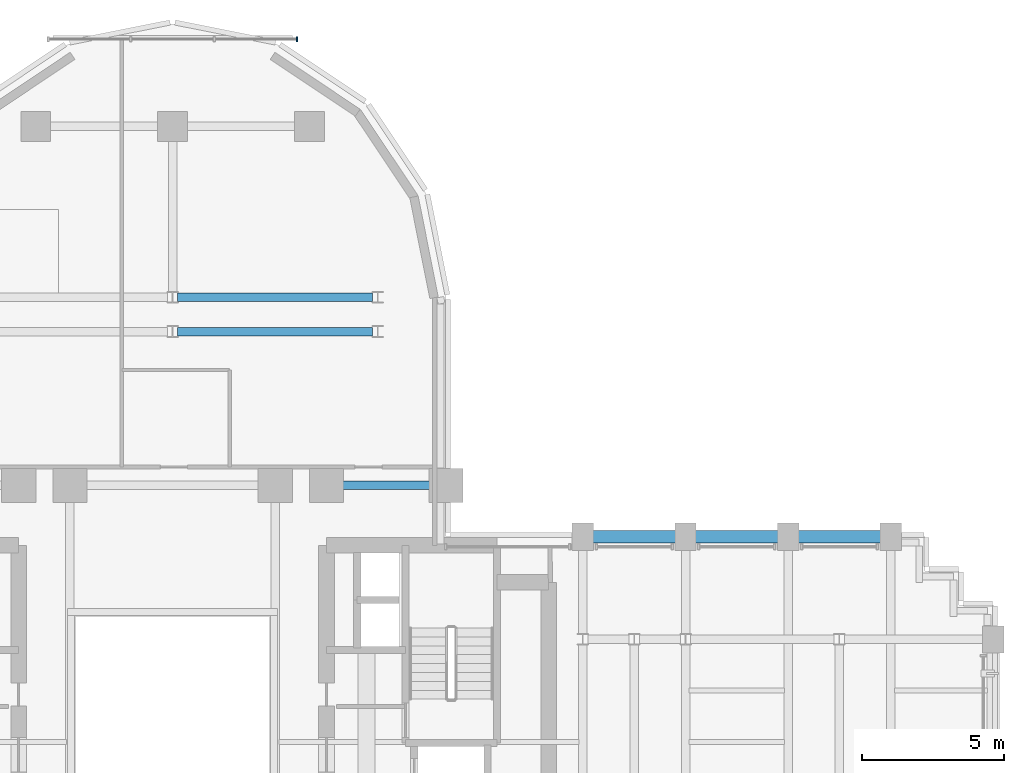
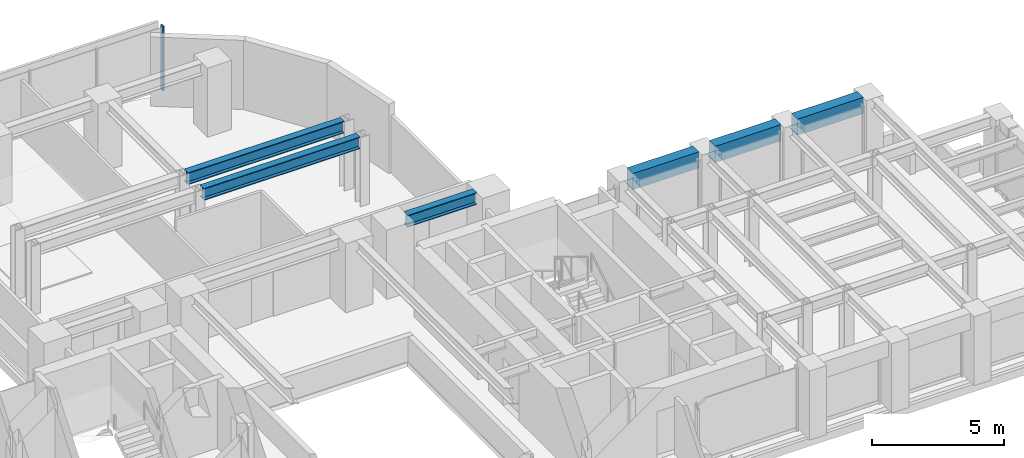
# One storey, part 8 of 16: 6 beams, 1 member, 1 element without a shape of its own.
"""IFC4 building model written with IfcOpenShell, lengths in metres."""

from ifc_helpers import new_model, si_unit, direction, frame, origin, origin_2d, place, context, subcontext, project, spatial, rectangle, i_section, extrude, source, transform, mapped, material, material_profile, profile_set, type_object, element, aggregate, save


model = new_model("IFC4")

# Units and contexts
model_context = context("Model", 3, precision=1e-05, world=origin(), true_north=direction((0.0, 1.0)))
body_context = subcontext(model_context, "Body", "Model", "MODEL_VIEW")
ifc_project = project(units=[si_unit("LENGTHUNIT", "METRE"), si_unit("AREAUNIT", "SQUARE_METRE"), si_unit("VOLUMEUNIT", "CUBIC_METRE"), si_unit("PLANEANGLEUNIT", "RADIAN"), si_unit("MASSUNIT", "GRAM", prefix="KILO")], contexts=[model_context])

# Site, building, storey
site_placement = place(None, origin())
site = spatial("IfcSite", under=ifc_project, at=site_placement, CompositionType="ELEMENT")
building_placement = place(site_placement, origin())
building = spatial("IfcBuilding", under=site, at=building_placement, Name="Keilestroom Media Tower", CompositionType="ELEMENT")
storey_placement = place(building_placement, frame((0.0, 0.0, 30.60009765625)))
storey = spatial("IfcBuildingStorey", under=building, at=storey_placement, Name="L06", CompositionType="ELEMENT", Elevation=30.60009765625)

# Beams
ifc_material_1 = material(Name="Steel S355", Category="steel")
ifc_material_profile_1 = material_profile(ifc_material_1, i_section(OverallWidth=0.300048828125, OverallDepth=0.550048828125, WebThickness=0.012939453125, FlangeThickness=0.029052734375, at=origin_2d()), Name="HEB 550")
ifc_profile_set_1 = profile_set([ifc_material_profile_1], Name="Steel S355")
beam_type_1 = type_object("IfcBeamType", Name="Primary-Structural-Girder-HEB-550", PredefinedType="BEAM", material=ifc_profile_set_1)
shared_shape_1 = source(origin(), body_context, "Body", "SweptSolid", [
    extrude(i_section(OverallWidth=0.300048828125, OverallDepth=0.550048828125, WebThickness=0.012939453125, FlangeThickness=0.029052734375, at=origin_2d()), origin(), (0.0, 0.0, 1.0), 6.836181640625),
])
for number, where, z_axis, x_axis, name in (
    (1, (0.181884765625, 14.39990234375, 2.9248046875), (1.0, 0.0, 0.0), (0.0, 1.0, 0.0), "L06 Beam BG-5 BM-L06-EW-046"),
    (2, (0.181884765625, 15.60009765625, 2.9248046875), (1.0, 0.0, 0.0), (0.0, 1.0, 0.0), "L06 Beam BG-5 BM-L06-EW-048"),
):
    element("IfcBeam", number, at=place(storey_placement, frame(where, z_axis=z_axis, x_axis=x_axis)), inside=storey, type_object=beam_type_1, Name=name, PredefinedType="BEAM", context=body_context, shape_type="MappedRepresentation", body=[
        mapped(shared_shape_1, transform((0.0, 0.0, 0.0), x_axis=(1.0, 0.0, 0.0), y_axis=(0.0, 1.0, 0.0), z_axis=(0.0, 0.0, 1.0), scale=1.0)),
    ])
shared_shape_2 = source(origin(), body_context, "Body", "SweptSolid", [
    extrude(i_section(OverallWidth=0.300048828125, OverallDepth=0.550048828125, WebThickness=0.012939453125, FlangeThickness=0.029052734375, at=origin_2d()), origin(), (0.0, 0.0, 1.0), 3.0400390625),
])
beam_1_placement = place(storey_placement, frame((5.97998046875, 9.0, 2.9248046875), z_axis=(1.0, 0.0, 0.0), x_axis=(0.0, 1.0, 0.0)))
element("IfcBeam", 3, at=beam_1_placement, inside=storey, type_object=beam_type_1, Name="L06 Beam BG-5 BM-L06-EW-044", PredefinedType="BEAM", context=body_context, shape_type="MappedRepresentation", body=[
    mapped(shared_shape_2, transform((0.0, 0.0, 0.0), x_axis=(1.0, 0.0, 0.0), y_axis=(0.0, 1.0, 0.0), z_axis=(0.0, 0.0, 1.0), scale=1.0)),
])
ifc_material_2 = material(Name="Precast concrete C40/50", Category="concrete")
ifc_material_profile_2 = material_profile(ifc_material_2, rectangle(XDim=0.449951171875, YDim=0.75, at=origin_2d()), Name="PC 450x750")
ifc_profile_set_2 = profile_set([ifc_material_profile_2], Name="Precast concrete C40/50")
beam_type_2 = type_object("IfcBeamType", Name="Perimeter-Spandrel-Beam-PC-450x750", PredefinedType="SPANDREL", material=ifc_profile_set_2)
shared_shape_3 = source(origin(), body_context, "Body", "SweptSolid", [
    extrude(rectangle(XDim=0.449951171875, YDim=0.75, at=origin_2d()), origin(), (0.0, 0.0, 1.0), 2.889892578125),
])
beam_2_placement = place(storey_placement, frame((21.955078125, 7.199951171875, 2.824951171875), z_axis=(1.0, 0.0, 0.0), x_axis=(0.0, 1.0, 0.0)))
element("IfcBeam", 4, at=beam_2_placement, inside=storey, type_object=beam_type_2, Name="L06 Beam SPB-1 BM-L06-EW-039", PredefinedType="SPANDREL", context=body_context, shape_type="MappedRepresentation", body=[
    mapped(shared_shape_3, transform((0.0, 0.0, 0.0), x_axis=(1.0, 0.0, 0.0), y_axis=(0.0, 1.0, 0.0), z_axis=(0.0, 0.0, 1.0), scale=1.0)),
])
shared_shape_4 = source(origin(), body_context, "Body", "SweptSolid", [
    extrude(rectangle(XDim=0.449951171875, YDim=0.75, at=origin_2d()), origin(), (0.0, 0.0, 1.0), 2.89013671875),
])
for number, where, z_axis, x_axis, name in (
    (5, (14.7548828125, 7.199951171875, 2.824951171875), (1.0, 0.0, 0.0), (0.0, 1.0, 0.0), "L06 Beam SPB-1 BM-L06-EW-037"),
    (6, (18.35498046875, 7.199951171875, 2.824951171875), (1.0, 0.0, 0.0), (0.0, 1.0, 0.0), "L06 Beam SPB-1 BM-L06-EW-038"),
):
    element("IfcBeam", number, at=place(storey_placement, frame(where, z_axis=z_axis, x_axis=x_axis)), inside=storey, type_object=beam_type_2, Name=name, PredefinedType="SPANDREL", context=body_context, shape_type="MappedRepresentation", body=[
        mapped(shared_shape_4, transform((0.0, 0.0, 0.0), x_axis=(1.0, 0.0, 0.0), y_axis=(0.0, 1.0, 0.0), z_axis=(0.0, 0.0, 1.0), scale=1.0)),
    ])

# Curtain wall, member
ifc_material_3 = material(Name="Anodised Aluminium Alloy", Category="aluminium")
curtain_wall_type = type_object("IfcCurtainWallType", Name="Unitised-Curtain-Wall-CW-6", PredefinedType="NOTDEFINED", material=ifc_material_3)
curtain_wall_placement = place(storey_placement, origin())
curtain_wall = element("IfcCurtainWall", 7, at=curtain_wall_placement, inside=storey, type_object=curtain_wall_type, Name="L06 Curtain Wall CW-6 CW-L06-LN-1", PredefinedType="NOTDEFINED")
ifc_material_profile_3 = material_profile(ifc_material_3, rectangle(XDim=0.06494140625, YDim=0.179931640625, at=origin_2d()), Name="ALU MULLION 65x180")
ifc_profile_set_3 = profile_set([ifc_material_profile_3], Name="Anodised Aluminium Alloy")
member_type = type_object("IfcMemberType", Name="Curtain-Wall-Mullion-CW-6", PredefinedType="MULLION", material=ifc_profile_set_3)
shared_shape_5 = source(origin(), body_context, "Body", "SweptSolid", [
    extrude(rectangle(XDim=0.06494140625, YDim=0.179931640625, at=origin_2d()), origin(), (0.0, 0.0, 1.0), 2.97998046875),
])
member_placement = place(storey_placement, frame((4.367431640625, 24.64990234375, 0.0), z_axis=(0.0, 0.0, 1.0), x_axis=(1.0, 0.0, 0.0)))
member = element("IfcMember", 8, at=member_placement, type_object=member_type, Name="CW-6 Mullion 03", PredefinedType="MULLION", context=body_context, shape_type="MappedRepresentation", body=[
    mapped(shared_shape_5, transform((0.0, 0.0, 0.0), x_axis=(1.0, 0.0, 0.0), y_axis=(0.0, 1.0, 0.0), z_axis=(0.0, 0.0, 1.0), scale=1.0)),
])
aggregate(curtain_wall, [member])

save(model, "model.ifc")
